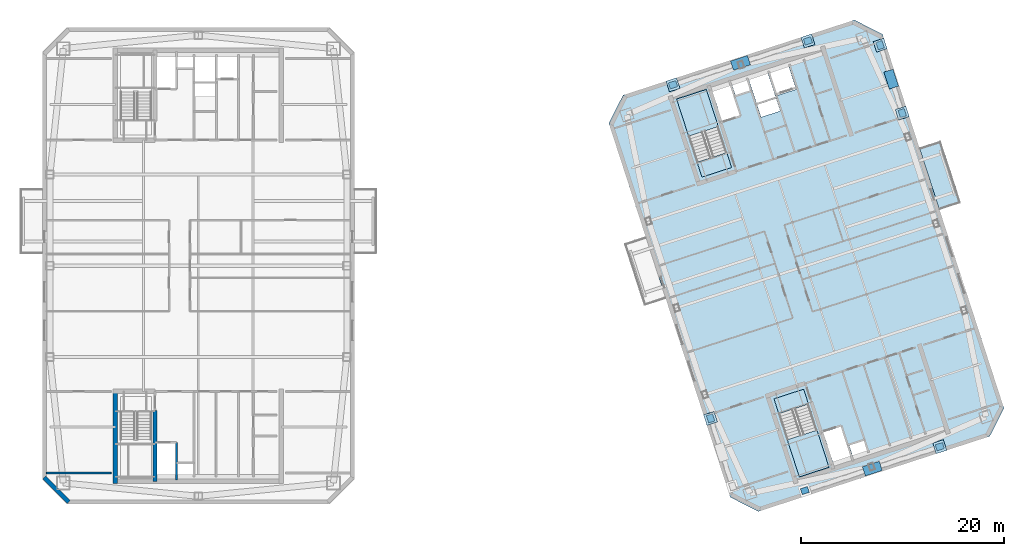
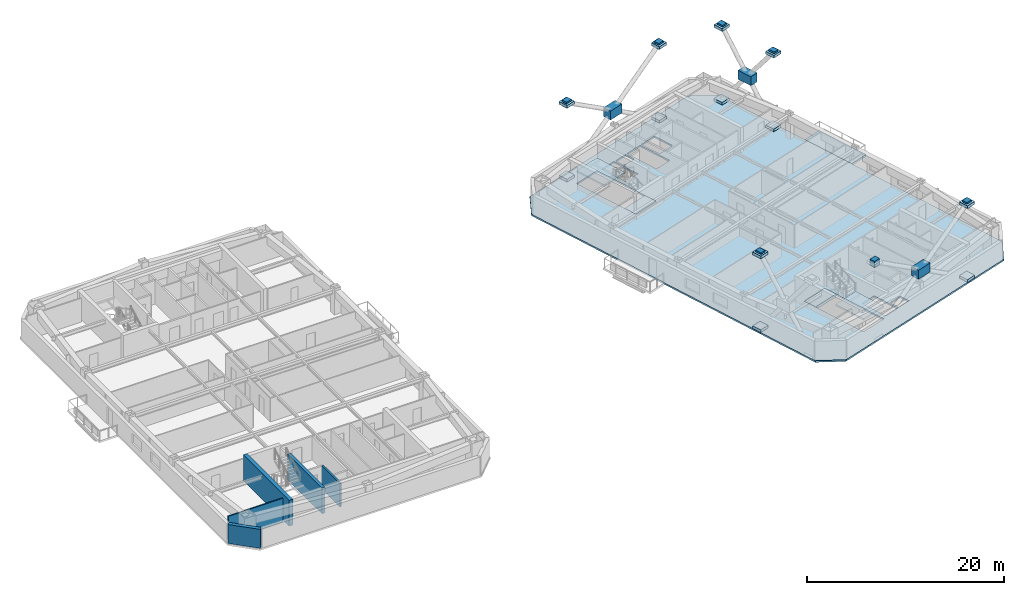
# One storey, part 5 of 16: 22 plates, 6 slabs, 5 walls, 2 elements without a shape of their own.
"""IFC4 building model written with IfcOpenShell, lengths in metres."""

import ifcopenshell
import ifcopenshell.guid

model = None  # the IFC model being written
_history = None  # IfcOwnerHistory: only IFC2X3 demands one
_inside = {}  # id of a spatial element -> (the spatial element, [elements in it])
_under = {}  # id of a project, library or spatial element -> (it, [spatial elements below it])
_declared = {}  # id of a project -> (the project, [libraries it declares])
_typed = {}  # id of a type object -> (the type object, [elements of that type])
_made_of = {}  # id of a material, layer set ... -> (it, [elements and type objects made of it])


def new_model(schema):
    """Start an empty IFC model of exactly this schema.

    Asked for "IFC4X3", IfcOpenShell would pick the latest addendum, in which some entities
    have other attributes; the version numbers below select the first issue.
    IFC2X3 requires an IfcOwnerHistory on every rooted entity: one is made here for all.
    """
    global model, _history
    if schema == "IFC4X3":
        model = ifcopenshell.file(schema_version=(4, 3, 0, 0))
    else:
        model = ifcopenshell.file(schema=schema)
    _inside.clear()
    _under.clear()
    _declared.clear()
    _typed.clear()
    _made_of.clear()
    _history = None
    if model.schema == "IFC2X3":
        org = make("IfcOrganization", Name="unknown")
        user = make(
            "IfcPersonAndOrganization",
            ThePerson=make("IfcPerson", FamilyName="unknown"),
            TheOrganization=org,
        )
        app = make(
            "IfcApplication",
            ApplicationDeveloper=org,
            Version="unknown",
            ApplicationFullName="unknown",
            ApplicationIdentifier="unknown",
        )
        _history = make(
            "IfcOwnerHistory",
            OwningUser=user,
            OwningApplication=app,
            ChangeAction="ADDED",
            CreationDate=0,
        )
    return model


def make(cls, **values):
    """One entity of the class cls with the attributes given. An attribute that is None is left unset."""
    return model.create_entity(
        cls, **{name: value for name, value in values.items() if value is not None}
    )


def rooted(cls, **values):
    """An entity with a GlobalId (a new one), such as an element, a storey or a relation."""
    return make(cls, GlobalId=ifcopenshell.guid.new(), OwnerHistory=_history, **values)


def si_unit(unit_type, name, prefix=None):
    """IfcSIUnit, for example si_unit("LENGTHUNIT", "METRE", prefix="MILLI")."""
    return make("IfcSIUnit", UnitType=unit_type, Prefix=prefix, Name=name)


def assignment(units):
    """IfcUnitAssignment: the units of a project."""
    return None if units is None else make("IfcUnitAssignment", Units=units)


def point(xyz):
    """IfcCartesianPoint."""
    return None if xyz is None else make("IfcCartesianPoint", Coordinates=xyz)


def direction(xyz):
    """IfcDirection."""
    return None if xyz is None else make("IfcDirection", DirectionRatios=xyz)


def frame(location, z_axis=None, x_axis=None):
    """IfcAxis2Placement3D, a coordinate frame: its origin and axes. An axis left out is left unset."""
    return make(
        "IfcAxis2Placement3D",
        Location=point(location),
        Axis=direction(z_axis),
        RefDirection=direction(x_axis),
    )


def frame_2d(location, x_axis=None):
    """IfcAxis2Placement2D, a coordinate frame in the plane: its origin and x axis."""
    return make(
        "IfcAxis2Placement2D", Location=point(location), RefDirection=direction(x_axis)
    )


def origin():
    """The frame at (0, 0, 0) with its axes left unset."""
    return frame((0.0, 0.0, 0.0))


def origin_2d():
    """The frame at (0, 0) in the plane with its x axis left unset."""
    return frame_2d((0.0, 0.0))


def place(relative_to, where):
    """IfcLocalPlacement: puts the frame where relative to a parent placement (None: the world)."""
    return make(
        "IfcLocalPlacement", PlacementRelTo=relative_to, RelativePlacement=where
    )


def context(
    kind, dimensions, precision=None, world=None, true_north=None, identifier=None
):
    """IfcGeometricRepresentationContext, for example the 3D "Model" context."""
    return make(
        "IfcGeometricRepresentationContext",
        ContextIdentifier=identifier,
        ContextType=kind,
        CoordinateSpaceDimension=dimensions,
        Precision=precision,
        WorldCoordinateSystem=world,
        TrueNorth=true_north,
    )


def subcontext(parent, identifier, kind, view, scale=None):
    """IfcGeometricRepresentationSubContext, for example "Body" below "Model"."""
    return make(
        "IfcGeometricRepresentationSubContext",
        ContextIdentifier=identifier,
        ContextType=kind,
        ParentContext=parent,
        TargetScale=scale,
        TargetView=view,
    )


def project(units=None, contexts=None):
    """IfcProject with its units and contexts."""
    return rooted(
        "IfcProject",
        Name="project",
        RepresentationContexts=contexts,
        UnitsInContext=assignment(units),
    )


def spatial(cls, under=None, at=None, **own):
    """A site, building, storey or space (cls), placed at a placement, below another one or the project."""
    s = rooted(cls, ObjectPlacement=at, **own)
    if under is not None:
        _under.setdefault(under.id(), (under, []))[1].append(s)
    return s


def polyline(points):
    """IfcPolyline through the points."""
    return make("IfcPolyline", Points=[point(p) for p in points])


def profile(cls, at=None, kind="AREA", **sizes):
    """A parametric profile (cls). Its sizes go by their IFC names, for example OverallWidth=200.0."""
    return make(cls, ProfileType=kind, Position=at, **sizes)


def rectangle(**sizes):
    """IfcRectangleProfileDef."""
    return profile("IfcRectangleProfileDef", **sizes)


def outline(outer, holes=None, kind="AREA"):
    """IfcArbitraryClosedProfileDef: a profile drawn as a closed curve; with holes, ...WithVoids."""
    if holes is None:
        return make("IfcArbitraryClosedProfileDef", ProfileType=kind, OuterCurve=outer)
    return make(
        "IfcArbitraryProfileDefWithVoids",
        ProfileType=kind,
        OuterCurve=outer,
        InnerCurves=holes,
    )


def extrude(swept, where, along, depth):
    """IfcExtrudedAreaSolid: the profile swept, set in the frame where, extruded along a direction by depth."""
    return make(
        "IfcExtrudedAreaSolid",
        SweptArea=swept,
        Position=where,
        ExtrudedDirection=direction(along),
        Depth=depth,
    )


def shape(context_of_items, identifier, shape_type, items):
    """IfcShapeRepresentation: the items that make up one representation, for example the "Body"."""
    return make(
        "IfcShapeRepresentation",
        ContextOfItems=context_of_items,
        RepresentationIdentifier=identifier,
        RepresentationType=shape_type,
        Items=items,
    )


def material(Name=None, Category=None):
    """IfcMaterial."""
    return make("IfcMaterial", Name=Name, Category=Category)


def layer(
    of_material, thickness, ventilated=None, Name=None, Category=None, Priority=None
):
    """IfcMaterialLayer: one layer of a wall or slab, of a material (None: an air gap)."""
    return make(
        "IfcMaterialLayer",
        Material=of_material,
        LayerThickness=thickness,
        IsVentilated=ventilated,
        Name=Name,
        Category=Category,
        Priority=Priority,
    )


def layer_set(layers, Name=None):
    """IfcMaterialLayerSet."""
    return make("IfcMaterialLayerSet", MaterialLayers=layers, LayerSetName=Name)


def made_of(thing, what):
    """Note that an element or type object is made of a material, layer set ...; save() writes the relation."""
    if what is not None:
        _made_of.setdefault(what.id(), (what, []))[1].append(thing)
    return thing


def type_object(cls, material=None, **own):
    """A type object (cls), such as IfcWallType, which elements share."""
    return made_of(rooted(cls, **own), material)


def element(
    cls,
    number,
    at=None,
    inside=None,
    cuts=None,
    type_object=None,
    material=None,
    context=None,
    identifier="Body",
    shape_type=None,
    held_by="IfcProductDefinitionShape",
    body=None,
    shapes=None,
    **own,
):
    """One element of the class cls, such as IfcWall. Its Tag is "e" and its number.

    at: its placement. inside: the storey or other place that contains it. cuts: it is an
    opening in that element (IfcRelVoidsElement). A single representation is given by context,
    identifier, shape_type and body (its items); several are given by shapes. held_by: the class
    of the entity that holds the representations. save() writes the other relations.
    """
    e = rooted(cls, Tag="e%d" % number, ObjectPlacement=at, **own)
    if body is not None:
        shapes = [shape(context, identifier, shape_type, body)]
    if shapes is not None:
        e.Representation = make(held_by, Representations=shapes)
    if inside is not None:
        _inside.setdefault(inside.id(), (inside, []))[1].append(e)
    if cuts is not None:
        rooted(
            "IfcRelVoidsElement", RelatingBuildingElement=cuts, RelatedOpeningElement=e
        )
    if type_object is not None:
        _typed.setdefault(type_object.id(), (type_object, []))[1].append(e)
    return made_of(e, material)


def aggregate(whole, parts):
    """IfcRelAggregates: a whole, such as a stair, and the parts it consists of."""
    return rooted("IfcRelAggregates", RelatingObject=whole, RelatedObjects=parts)


def save(model, path):
    """Write the relations noted so far, then the file.

    IfcRelAggregates (storeys below a building ...), IfcRelContainedInSpatialStructure (elements
    in a storey), IfcRelDefinesByType, IfcRelAssociatesMaterial and IfcRelDeclares: one each for
    every whole, place, type object, material and project.
    """
    for whole, parts in _under.values():
        aggregate(whole, parts)
    for where, things in _inside.values():
        rooted(
            "IfcRelContainedInSpatialStructure",
            RelatedElements=things,
            RelatingStructure=where,
        )
    for kind, things in _typed.values():
        rooted("IfcRelDefinesByType", RelatedObjects=things, RelatingType=kind)
    for what, things in _made_of.values():
        rooted("IfcRelAssociatesMaterial", RelatedObjects=things, RelatingMaterial=what)
    for by, libraries in _declared.values():
        rooted("IfcRelDeclares", RelatingContext=by, RelatedDefinitions=libraries)
    model.write(path)


model = new_model("IFC4")

# Units and contexts
model_context = context("Model", 3, precision=1e-05, world=origin(), true_north=direction((0.0, 1.0)))
body_context = subcontext(model_context, "Body", "Model", "MODEL_VIEW")
ifc_project = project(units=[si_unit("LENGTHUNIT", "METRE"), si_unit("AREAUNIT", "SQUARE_METRE"), si_unit("VOLUMEUNIT", "CUBIC_METRE"), si_unit("PLANEANGLEUNIT", "RADIAN"), si_unit("MASSUNIT", "GRAM", prefix="KILO")], contexts=[model_context])

# Site, building, storey
site_placement = place(None, origin())
site = spatial("IfcSite", under=ifc_project, at=site_placement, CompositionType="ELEMENT")
building_placement = place(site_placement, origin())
building = spatial("IfcBuilding", under=site, at=building_placement, Name="Qiaolan Cultural Towers", CompositionType="ELEMENT")
storey_placement = place(building_placement, frame((0.0, 0.0, 240.800048828125)))
storey = spatial("IfcBuildingStorey", under=building, at=storey_placement, Name="L65", CompositionType="ELEMENT", Elevation=240.800048828125)

# Plates
ifc_material_1 = material(Name="Steel Q355B", Category="steel")
ifc_layer_1 = layer(ifc_material_1, 0.035888671875)
ifc_layer_set_1 = layer_set([ifc_layer_1], Name="Steel Q355B")
plate_type_1 = type_object("IfcPlateType", Name="PL-CONN-36", PredefinedType="USERDEFINED", material=ifc_layer_set_1)
for number, where, z_axis, x_axis, name in (
    (1, (80.540771484375, 18.93994140625, 8.93017578125), (0.0, 0.0, 1.0), (-0.309016994375, 0.951056516295, 0.0), "L65 Brace End Connection Gusset Plate GP-02-0596"),
    (2, (97.280517578125, 55.76513671875, 8.93017578125), (0.0, 0.0, 1.0), (-0.309016994375, 0.951056516295, 0.0), "L65 Brace End Connection Gusset Plate GP-02-0598"),
    (3, (99.459228515625, 49.06005859375, 8.93017578125), (0.0, 0.0, 1.0), (-0.309016994375, 0.951056516295, 0.0), "L65 Brace End Connection Gusset Plate GP-02-0599"),
    (4, (103.162109375, 16.143310546875, 8.93017578125), (0.0, 0.0, 1.0), (0.951056510902, 0.309017010974, 0.0), "L65 Brace End Connection Gusset Plate GP-02-0600"),
    (5, (89.847412109375, 11.817138671875, 8.93017578125), (0.0, 0.0, 1.0), (0.951056510902, 0.309017010974, 0.0), "L65 Brace End Connection Gusset Plate GP-02-0601"),
    (6, (90.152587890625, 56.182861328125, 8.93017578125), (0.0, 0.0, 1.0), (0.951056510902, 0.309017010974, 0.0), "L65 Brace End Connection Gusset Plate GP-02-0602"),
    (7, (76.837890625, 51.856689453125, 8.93017578125), (0.0, 0.0, 1.0), (0.951056510902, 0.309017010974, 0.0), "L65 Brace End Connection Gusset Plate GP-02-0603"),
):
    element("IfcPlate", number, at=place(storey_placement, frame(where, z_axis=z_axis, x_axis=x_axis)), inside=storey, type_object=plate_type_1, Name=name, ObjectType="GUSSET_PLATE", PredefinedType="USERDEFINED", context=body_context, shape_type="SweptSolid", body=[
        extrude(rectangle(XDim=0.739990234375, YDim=0.6201171875, at=origin_2d()), origin(), (0.0, 0.0, 1.0), 0.739990234375),
    ])
ifc_material_2 = material(Name="Steel Q355B", Category="steel")
ifc_layer_2 = layer(ifc_material_2, 0.030029296875)
ifc_layer_set_2 = layer_set([ifc_layer_2], Name="Steel Q355B")
plate_type_2 = type_object("IfcPlateType", Name="PL-ENDCAP-30", PredefinedType="USERDEFINED", material=ifc_layer_set_2)
for number, where, z_axis, x_axis, name in (
    (8, (80.540771484375, 18.93994140625, -0.025146484375), (0.0, 0.0, 1.0), (-0.309016994375, 0.951056516295, 0.0), "Hollow Brace End Seal Cap Plate CP-01"),
    (9, (80.540771484375, 18.93994140625, 9.125), (0.0, 0.0, 1.0), (-0.309016994375, 0.951056516295, 0.0), "Hollow Brace End Seal Cap Plate CP-01"),
    (10, (99.459228515625, 49.06005859375, -0.025146484375), (0.0, 0.0, 1.0), (-0.309016994375, 0.951056516295, 0.0), "Hollow Brace End Seal Cap Plate CP-01"),
    (11, (97.280517578125, 55.76513671875, -0.025146484375), (0.0, 0.0, 1.0), (-0.309016994375, 0.951056516295, 0.0), "Hollow Brace End Seal Cap Plate CP-01"),
    (12, (99.459228515625, 49.06005859375, 9.125), (0.0, 0.0, 1.0), (-0.309016994375, 0.951056516295, 0.0), "Hollow Brace End Seal Cap Plate CP-01"),
    (13, (97.280517578125, 55.76513671875, 9.125), (0.0, 0.0, 1.0), (-0.309016994375, 0.951056516295, 0.0), "Hollow Brace End Seal Cap Plate CP-01"),
    (14, (103.162109375, 16.143310546875, -0.025146484375), (0.0, 0.0, 1.0), (0.951056516295, 0.309016994375, 0.0), "Hollow Brace End Seal Cap Plate CP-01"),
    (15, (103.162109375, 16.143310546875, 9.125), (0.0, 0.0, 1.0), (0.951056516295, 0.309016994375, 0.0), "Hollow Brace End Seal Cap Plate CP-01"),
    (16, (76.837890625, 51.856689453125, -0.025146484375), (0.0, 0.0, 1.0), (0.951056516295, 0.309016994375, 0.0), "Hollow Brace End Seal Cap Plate CP-01"),
    (17, (90.152587890625, 56.182861328125, -0.025146484375), (0.0, 0.0, 1.0), (0.951056516295, 0.309016994375, 0.0), "Hollow Brace End Seal Cap Plate CP-01"),
    (18, (76.837890625, 51.856689453125, 9.125), (0.0, 0.0, 1.0), (0.951056516295, 0.309016994375, 0.0), "Hollow Brace End Seal Cap Plate CP-01"),
    (19, (90.152587890625, 56.182861328125, 9.125), (0.0, 0.0, 1.0), (0.951056516295, 0.309016994375, 0.0), "Hollow Brace End Seal Cap Plate CP-01"),
):
    element("IfcPlate", number, at=place(storey_placement, frame(where, z_axis=z_axis, x_axis=x_axis)), inside=storey, type_object=plate_type_2, Name=name, ObjectType="BASE_PLATE", PredefinedType="USERDEFINED", context=body_context, shape_type="SweptSolid", body=[
        extrude(rectangle(XDim=1.10009765625, YDim=1.10009765625, at=origin_2d()), origin(), (0.0, 0.0, 1.0), 0.35009765625),
    ])
ifc_material_3 = material(Name="Steel Q390GJB", Category="steel")
ifc_layer_3 = layer(ifc_material_3, 0.0458984375)
ifc_layer_set_3 = layer_set([ifc_layer_3], Name="Steel Q390GJB")
plate_type_3 = type_object("IfcPlateType", Name="PL-NODE-ND07", PredefinedType="USERDEFINED", material=ifc_layer_set_3)
plate_1_placement = place(storey_placement, frame((98.369873046875, 52.41259765625, 4.1748046875), z_axis=(0.0, 0.0, 1.0), x_axis=(-0.309016994375, 0.951056516295, 0.0)))
element("IfcPlate", 20, at=plate_1_placement, inside=storey, type_object=plate_type_3, Name="Perimeter Frame Gusset Node Assembly ND-07", ObjectType="GUSSET_PLATE", PredefinedType="USERDEFINED", context=body_context, shape_type="SweptSolid", body=[
    extrude(rectangle(XDim=1.760009765625, YDim=0.9599609375, at=origin_2d()), origin(), (0.0, 0.0, 1.0), 1.10009765625),
])
ifc_material_4 = material(Name="Steel Q390GJB", Category="steel")
ifc_layer_4 = layer(ifc_material_4, 0.0400390625)
ifc_layer_set_4 = layer_set([ifc_layer_4], Name="Steel Q390GJB")
plate_type_4 = type_object("IfcPlateType", Name="PL-NODE-ND08", PredefinedType="USERDEFINED", material=ifc_layer_set_4)
plate_2_placement = place(storey_placement, frame((96.5048828125, 13.980224609375, 4.1748046875), z_axis=(0.0, 0.0, 1.0), x_axis=(0.951056516295, 0.309016994375, 0.0)))
element("IfcPlate", 21, at=plate_2_placement, inside=storey, type_object=plate_type_4, Name="Perimeter Frame Gusset Node Assembly ND-08", ObjectType="GUSSET_PLATE", PredefinedType="USERDEFINED", context=body_context, shape_type="SweptSolid", body=[
    extrude(rectangle(XDim=1.760009765625, YDim=0.9599609375, at=origin_2d()), origin(), (0.0, 0.0, 1.0), 1.10009765625),
])
ifc_material_5 = material(Name="Steel Q390GJB", Category="steel")
ifc_layer_5 = layer(ifc_material_5, 0.0419921875)
ifc_layer_set_5 = layer_set([ifc_layer_5], Name="Steel Q390GJB")
plate_type_5 = type_object("IfcPlateType", Name="PL-NODE-ND09", PredefinedType="USERDEFINED", material=ifc_layer_set_5)
plate_3_placement = place(storey_placement, frame((83.4951171875, 54.019775390625, 4.1748046875), z_axis=(0.0, 0.0, 1.0), x_axis=(0.951056516295, 0.309016994375, 0.0)))
element("IfcPlate", 22, at=plate_3_placement, inside=storey, type_object=plate_type_5, Name="Perimeter Frame Gusset Node Assembly ND-09", ObjectType="GUSSET_PLATE", PredefinedType="USERDEFINED", context=body_context, shape_type="SweptSolid", body=[
    extrude(rectangle(XDim=1.760009765625, YDim=0.9599609375, at=origin_2d()), origin(), (0.0, 0.0, 1.0), 1.10009765625),
])

# Slabs
ifc_material_6 = material(Name="Concrete C45", Category="concrete")
ifc_layer_6 = layer(ifc_material_6, 0.239990234375)
ifc_layer_set_6 = layer_set([ifc_layer_6], Name="Concrete C45")
slab_type_1 = type_object("IfcSlabType", Name="SL-BAL-240", PredefinedType="FLOOR", material=ifc_layer_set_6)
slab_1_placement = place(storey_placement, frame((0.0, 0.0, -0.239990234375)))
element("IfcSlab", 23, at=slab_1_placement, inside=storey, type_object=slab_type_1, Name="L65 T2 Planted Tree Balcony E", PredefinedType="FLOOR", context=body_context, shape_type="SweptSolid", body=[
    extrude(outline(polyline([(103.13427734375, 39.529296875), (105.2265625, 40.209228515625), (103.248779296875, 46.2958984375), (101.156494140625, 45.615966796875), (103.13427734375, 39.529296875)])), origin(), (0.0, 0.0, 1.0), 0.239990234375),
])
ifc_material_7 = material(Name="Concrete C45", Category="concrete")
ifc_layer_7 = layer(ifc_material_7, 0.199951171875)
ifc_layer_set_7 = layer_set([ifc_layer_7], Name="Concrete C45")
slab_type_2 = type_object("IfcSlabType", Name="SL-HI-200", PredefinedType="FLOOR", material=ifc_layer_set_7)
slab_2_placement = place(storey_placement, frame((0.0, 0.0, -0.199951171875)))
element("IfcSlab", 24, at=slab_2_placement, inside=storey, type_object=slab_type_2, Name="L65 East Tower Floor Slab", PredefinedType="FLOOR", context=body_context, shape_type="SweptSolid", body=[
    extrude(outline(polyline([(85.26220703125, 9.7490234375), (108.08740234375, 17.165283203125), (109.5, 19.9375), (97.510009765625, 56.838623046875), (94.73779296875, 58.2509765625), (71.91259765625, 50.834716796875), (70.5, 48.0625), (82.489990234375, 11.161376953125), (85.26220703125, 9.7490234375)]), holes=[polyline([(86.80126953125, 20.868896484375), (89.30419921875, 13.165283203125), (92.2333984375, 14.116943359375), (89.73046875, 21.820556640625), (86.80126953125, 20.868896484375)]), polyline([(82.623046875, 43.69482421875), (80.1201171875, 51.3984375), (77.190673828125, 50.44677734375), (79.69384765625, 42.7431640625), (82.623046875, 43.69482421875)]), polyline([(92.666259765625, 14.468017578125), (94.42578125, 15.03955078125), (93.42138671875, 18.130615234375), (91.661865234375, 17.558837890625), (92.666259765625, 14.468017578125)]), polyline([(94.5908203125, 15.14599609375), (96.027099609375, 15.612548828125), (95.66552734375, 16.725341796875), (94.2294921875, 16.258544921875), (94.5908203125, 15.14599609375)]), polyline([(81.6806640625, 48.278076171875), (83.440185546875, 48.849609375), (82.435791015625, 51.940673828125), (80.67626953125, 51.368896484375), (81.6806640625, 48.278076171875)]), polyline([(82.993408203125, 50.839111328125), (84.4296875, 51.3056640625), (84.068115234375, 52.41845703125), (82.632080078125, 51.95166015625), (82.993408203125, 50.839111328125)]), polyline([(87.1455078125, 50.810791015625), (88.990478515625, 51.41015625), (88.22412109375, 53.768798828125), (86.379150390625, 53.169189453125), (87.1455078125, 50.810791015625)]), polyline([(85.5322265625, 48.65673828125), (87.415283203125, 49.2685546875), (86.169921875, 53.101318359375), (84.286865234375, 52.489501953125), (85.5322265625, 48.65673828125)])]), origin(), (0.0, 0.0, 1.0), 0.199951171875),
])

# Stair, slab
ifc_material_8 = material(Name="Concrete C45", Category="concrete")
stair_type = type_object("IfcStairType", Name="STR-CORE-1500", PredefinedType="HALF_TURN_STAIR", material=ifc_material_8)
stair_1_placement = place(storey_placement, origin())
stair_1 = element("IfcStair", 25, at=stair_1_placement, inside=storey, type_object=stair_type, Name="L65 Smokeproof Exit Stair ST-E1", PredefinedType="HALF_TURN_STAIR")
ifc_material_9 = material(Name="Concrete C45", Category="concrete")
ifc_layer_8 = layer(ifc_material_9, 0.199951171875)
ifc_layer_set_8 = layer_set([ifc_layer_8], Name="Concrete C45")
slab_type_3 = type_object("IfcSlabType", Name="SL-STAIR-LAND", PredefinedType="LANDING", material=ifc_layer_set_8)
slab_3_placement = place(storey_placement, frame((0.0, 0.0, 1.39990234375)))
slab_3 = element("IfcSlab", 26, at=slab_3_placement, type_object=slab_type_3, Name="ST-E1 landing 1", PredefinedType="LANDING", context=body_context, shape_type="SweptSolid", body=[
    extrude(outline(polyline([(88.114013671875, 16.828125), (89.30419921875, 13.165283203125), (92.2333984375, 14.116943359375), (91.04345703125, 17.77978515625), (88.114013671875, 16.828125)])), origin(), (0.0, 0.0, 1.0), 0.199951171875),
])
aggregate(stair_1, [slab_3])

stair_2_placement = place(storey_placement, origin())
stair_2 = element("IfcStair", 27, at=stair_2_placement, inside=storey, type_object=stair_type, Name="L65 Smokeproof Exit Stair ST-E2", PredefinedType="HALF_TURN_STAIR")
slab_4_placement = place(storey_placement, frame((0.0, 0.0, 1.39990234375)))
slab_4 = element("IfcSlab", 28, at=slab_4_placement, type_object=slab_type_3, Name="ST-E2 landing 1", PredefinedType="LANDING", context=body_context, shape_type="SweptSolid", body=[
    extrude(outline(polyline([(81.31005859375, 47.735595703125), (80.1201171875, 51.3984375), (77.190673828125, 50.44677734375), (78.380859375, 46.783935546875), (81.31005859375, 47.735595703125)])), origin(), (0.0, 0.0, 1.0), 0.199951171875),
])
aggregate(stair_2, [slab_4])

# Slabs
ifc_material_10 = material(Name="Concrete C40", Category="concrete")
ifc_layer_9 = layer(ifc_material_10, 0.360107421875)
ifc_layer_set_9 = layer_set([ifc_layer_9], Name="Concrete C40")
slab_type_4 = type_object("IfcSlabType", Name="SL-STFLR-360", PredefinedType="LANDING", material=ifc_layer_set_9)
slab_5_placement = place(storey_placement, frame((0.0, 0.0, -0.360107421875)))
element("IfcSlab", 29, at=slab_5_placement, inside=storey, type_object=slab_type_4, Name="L65 ST-E1 Stair Floor Landing Slab", PredefinedType="LANDING", context=body_context, shape_type="SweptSolid", body=[
    extrude(outline(polyline([(86.8037109375, 20.867431640625), (87.282470703125, 19.39404296875), (90.2080078125, 20.3447265625), (89.729248046875, 21.818115234375), (86.8037109375, 20.867431640625)])), origin(), (0.0, 0.0, 1.0), 0.360107421875),
])
slab_6_placement = place(storey_placement, frame((0.0, 0.0, -0.360107421875)))
element("IfcSlab", 30, at=slab_6_placement, inside=storey, type_object=slab_type_4, Name="L65 ST-E2 Stair Floor Landing Slab", PredefinedType="LANDING", context=body_context, shape_type="SweptSolid", body=[
    extrude(outline(polyline([(82.62060546875, 43.6962890625), (82.141845703125, 45.169677734375), (79.21630859375, 44.21923828125), (79.695068359375, 42.74560546875), (82.62060546875, 43.6962890625)])), origin(), (0.0, 0.0, 1.0), 0.360107421875),
])

# Walls
ifc_material_11 = material(Name="Concrete C50", Category="concrete")
ifc_layer_10 = layer(ifc_material_11, 0.35009765625)
ifc_layer_set_10 = layer_set([ifc_layer_10], Name="Concrete C50")
wall_type_1 = type_object("IfcWallType", Name="WL-CORE-350", PredefinedType="SHEAR", material=ifc_layer_set_10)
wall_1_placement = place(storey_placement, frame((25.719970703125, 19.699951171875, 0.0), z_axis=(0.0, 0.0, 1.0), x_axis=(0.0, -1.0, 0.0)))
element("IfcWall", 31, at=wall_1_placement, inside=storey, type_object=wall_type_1, Name="L65 T1-CS Stair Core Dividing Web", PredefinedType="SHEAR", context=body_context, shape_type="SweptSolid", body=[
    extrude(rectangle(XDim=6.97998046875, YDim=0.35009765625, at=frame_2d((3.489990234375, 0.0))), origin(), (0.0, 0.0, 1.0), 3.199951171875),
])
ifc_material_12 = material(Name="Concrete C50", Category="concrete")
ifc_layer_11 = layer(ifc_material_12, 0.449951171875)
ifc_layer_set_11 = layer_set([ifc_layer_11], Name="Concrete C50")
wall_type_2 = type_object("IfcWallType", Name="WL-CORE-450", PredefinedType="SHEAR", material=ifc_layer_set_11)
wall_2_placement = place(storey_placement, frame((21.800048828125, 21.824951171875, 0.0), z_axis=(0.0, 0.0, 1.0), x_axis=(0.0, -1.0, 0.0)))
element("IfcWall", 32, at=wall_2_placement, inside=storey, type_object=wall_type_2, Name="L65 T1-CS West Core Shear Wall", PredefinedType="SHEAR", context=body_context, shape_type="SweptSolid", body=[
    extrude(rectangle(XDim=9.329833984375, YDim=0.449951171875, at=frame_2d((4.6650390625, 0.0))), origin(), (0.0, 0.0, 1.0), 3.199951171875),
])
ifc_material_13 = material(Name="Precast Concrete C50 Honed Stone Pier", Category="masonry")
ifc_layer_12 = layer(ifc_material_13, 0.39990234375)
ifc_layer_set_12 = layer_set([ifc_layer_12], Name="Precast Concrete C50 Honed Stone Pier")
wall_type_3 = type_object("IfcWallType", Name="WL-EXT-PIER-400", PredefinedType="SOLIDWALL", material=ifc_layer_set_12)
wall_3_placement = place(storey_placement, frame((17.199951171875, 10.699951171875, 0.0), z_axis=(0.0, 0.0, 1.0), x_axis=(-0.707070815327, 0.707142745217, 0.0)))
element("IfcWall", 33, at=wall_3_placement, inside=storey, type_object=wall_type_3, Name="L65 West Tower Precast Pier Facade Wall F8", PredefinedType="SOLIDWALL", context=body_context, shape_type="SweptSolid", body=[
    extrude(rectangle(XDim=3.39404296875, YDim=0.39990234375, at=frame_2d((1.697021484375, 0.0))), origin(), (0.0, 0.0, 1.0), 2.35986328125),
])
ifc_material_14 = material(Name="Concrete C35 Fire Wall", Category="concrete")
ifc_layer_13 = layer(ifc_material_14, 0.199951171875)
ifc_layer_set_13 = layer_set([ifc_layer_13], Name="Concrete C35 Fire Wall")
wall_type_4 = type_object("IfcWallType", Name="WL-FIRE-200", PredefinedType="PARTITIONING", material=ifc_layer_set_13)
wall_4_placement = place(storey_placement, frame((27.820068359375, 16.550048828125, 0.0), z_axis=(0.0, 0.0, 1.0), x_axis=(0.0, -1.0, 0.0)))
element("IfcWall", 34, at=wall_4_placement, inside=storey, type_object=wall_type_4, Name="L65 T1-CS Firefighting Hoistway East Wall", PredefinedType="PARTITIONING", context=body_context, shape_type="SweptSolid", body=[
    extrude(rectangle(XDim=3.699951171875, YDim=0.199951171875, at=frame_2d((1.85009765625, 0.0))), origin(), (0.0, 0.0, 1.0), 2.925048828125),
])
ifc_material_15 = material(Name="Autoclaved Aerated Concrete Block B06", Category="concrete")
ifc_layer_14 = layer(ifc_material_15, 0.14990234375)
ifc_layer_set_14 = layer_set([ifc_layer_14], Name="Autoclaved Aerated Concrete Block B06")
wall_type_5 = type_object("IfcWallType", Name="WL-PART-150", PredefinedType="PARTITIONING", material=ifc_layer_set_14)
wall_5_placement = place(storey_placement, frame((15.0, 13.550048828125, 0.0), z_axis=(0.0, 0.0, 1.0), x_axis=(1.0, 0.0, 0.0)))
element("IfcWall", 35, at=wall_5_placement, inside=storey, type_object=wall_type_5, Name="L65 T1 Flank Wall FLK-SW", PredefinedType="PARTITIONING", context=body_context, shape_type="SweptSolid", body=[
    extrude(rectangle(XDim=6.39990234375, YDim=0.14990234375, at=frame_2d((3.199951171875, 0.0))), origin(), (0.0, 0.0, 1.0), 2.925048828125),
])

save(model, "model.ifc")
